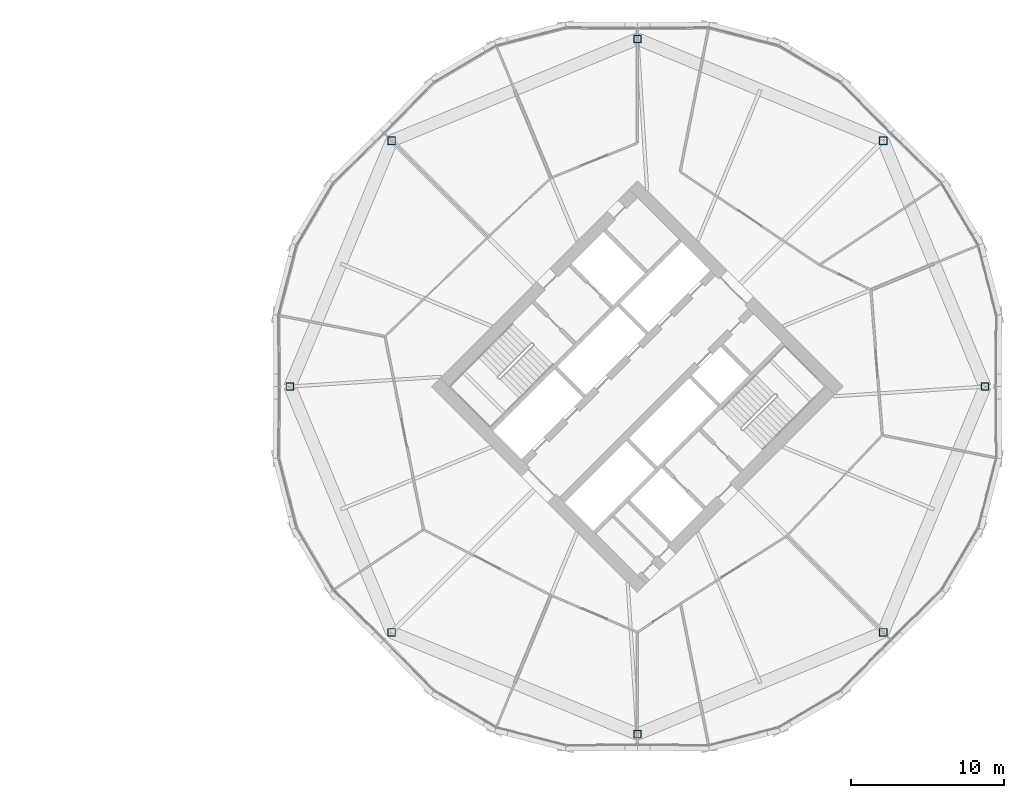
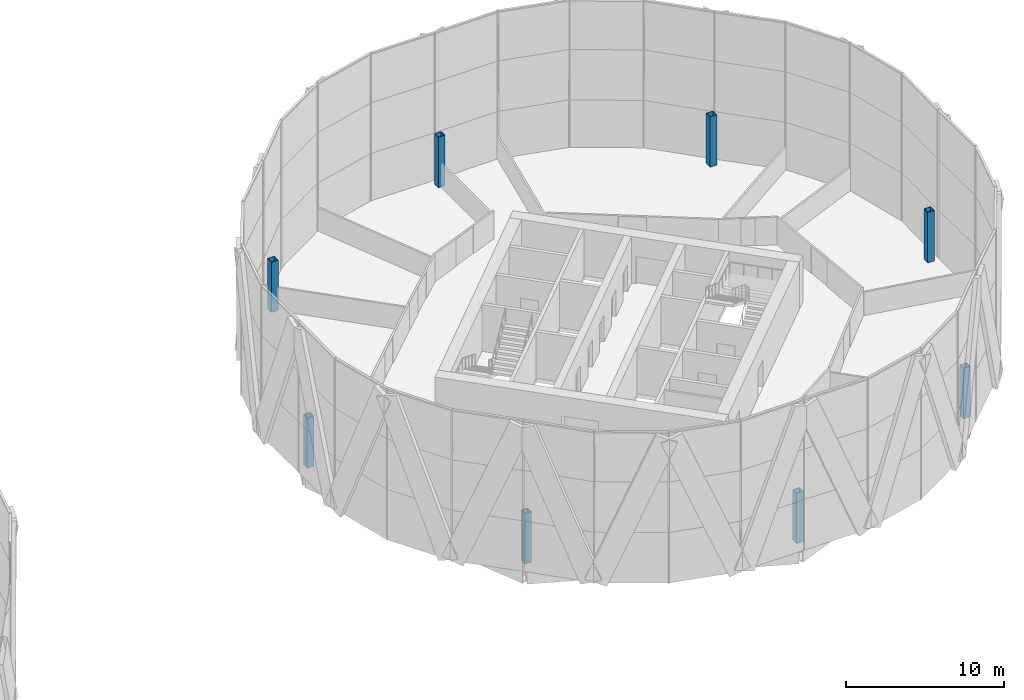
# One storey, part 2 of 26: 8 columns.
"""IFC4 building model written with IfcOpenShell, lengths in metres."""

from ifc_helpers import new_model, si_unit, direction, frame, origin, origin_2d, place, context, subcontext, project, spatial, hollow_rectangle, extrude, material, material_profile, profile_set, type_object, element, save


model = new_model("IFC4")

# Units and contexts
model_context = context("Model", 3, precision=1e-05, world=origin(), true_north=direction((0.0, 1.0)))
body_context = subcontext(model_context, "Body", "Model", "MODEL_VIEW")
ifc_project = project(units=[si_unit("LENGTHUNIT", "METRE"), si_unit("AREAUNIT", "SQUARE_METRE"), si_unit("VOLUMEUNIT", "CUBIC_METRE"), si_unit("PLANEANGLEUNIT", "RADIAN"), si_unit("MASSUNIT", "GRAM", prefix="KILO")], contexts=[model_context])

# Site, building, storey
site_placement = place(None, origin())
site = spatial("IfcSite", under=ifc_project, at=site_placement, CompositionType="ELEMENT")
building_placement = place(site_placement, origin())
building = spatial("IfcBuilding", under=site, at=building_placement, Name="Ogive Gate Towers", CompositionType="ELEMENT")
storey_placement = place(building_placement, frame((0.0, 0.0, 87.89990234375)))
storey = spatial("IfcBuildingStorey", under=building, at=storey_placement, Name="L20", CompositionType="ELEMENT", Elevation=87.89990234375)

# Columns
ifc_material = material(Name="Steel SM460", Category="steel")
ifc_material_profile = material_profile(ifc_material, hollow_rectangle(XDim=0.5, YDim=0.5, WallThickness=0.030029296875, at=origin_2d()), Name="BX 500x500x30")
ifc_profile_set = profile_set([ifc_material_profile], Name="Steel SM460")
column_type = type_object("IfcColumnType", Name="Perimeter post BX 500x500x30", PredefinedType="COLUMN", material=ifc_profile_set)
for number, where, z_axis, x_axis, name in (
    (1, (58.669921875, 0.0, 0.0), (0.0, 0.0, 1.0), (1.0, 0.0, 0.0), "T2/L20/SCL001"),
    (2, (52.030029296875, 16.030029296875, 0.0), (0.0, 0.0, 1.0), (1.0, 0.0, 0.0), "T2/L20/SCL002"),
    (3, (36.0, 22.669921875, 0.0), (0.0, 0.0, 1.0), (1.0, 0.0, 0.0), "T2/L20/SCL003"),
    (4, (19.969970703125, 16.030029296875, 0.0), (0.0, 0.0, 1.0), (1.0, 0.0, 0.0), "T2/L20/SCL004"),
    (5, (13.330078125, 0.0, 0.0), (0.0, 0.0, 1.0), (1.0, 0.0, 0.0), "T2/L20/SCL005"),
    (6, (19.969970703125, -16.030029296875, 0.0), (0.0, 0.0, 1.0), (1.0, 0.0, 0.0), "T2/L20/SCL006"),
    (7, (36.0, -22.669921875, 0.0), (0.0, 0.0, 1.0), (1.0, 0.0, 0.0), "T2/L20/SCL007"),
    (8, (52.030029296875, -16.030029296875, 0.0), (0.0, 0.0, 1.0), (1.0, 0.0, 0.0), "T2/L20/SCL008"),
):
    element("IfcColumn", number, at=place(storey_placement, frame(where, z_axis=z_axis, x_axis=x_axis)), inside=storey, type_object=column_type, Name=name, PredefinedType="COLUMN", context=body_context, shape_type="SweptSolid", body=[
        extrude(hollow_rectangle(XDim=0.5, YDim=0.5, WallThickness=0.030029296875, at=origin_2d()), origin(), (0.0, 0.0, 1.0), 3.900146484375),
    ])

save(model, "model.ifc")
